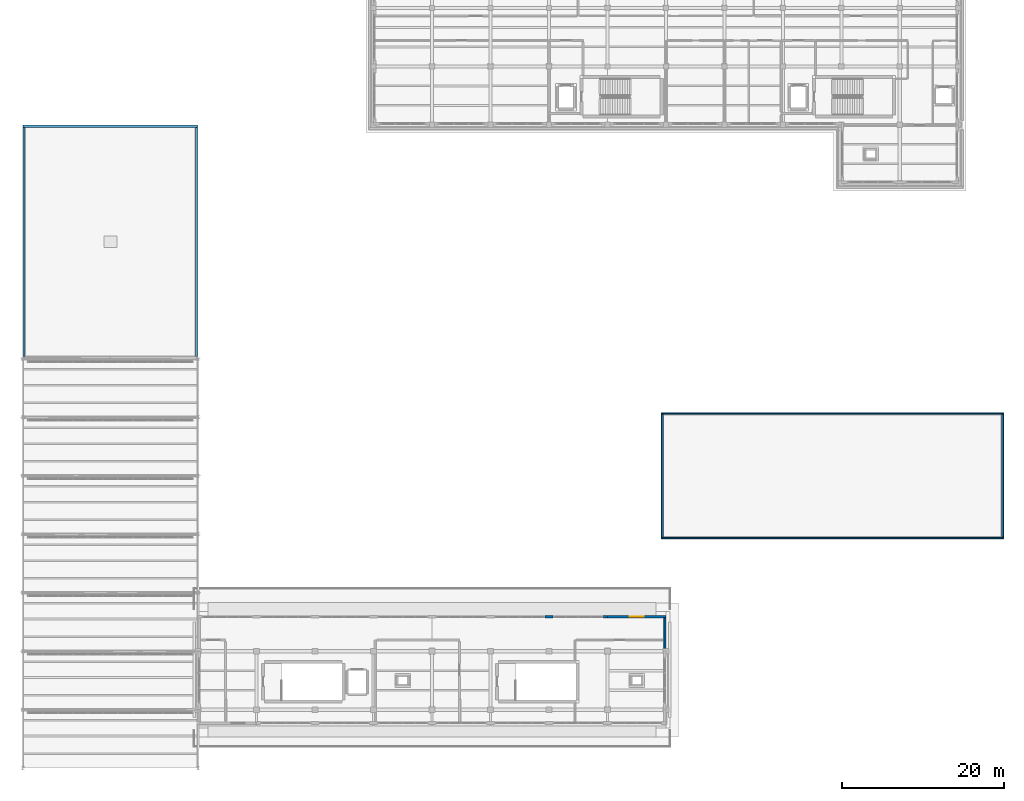
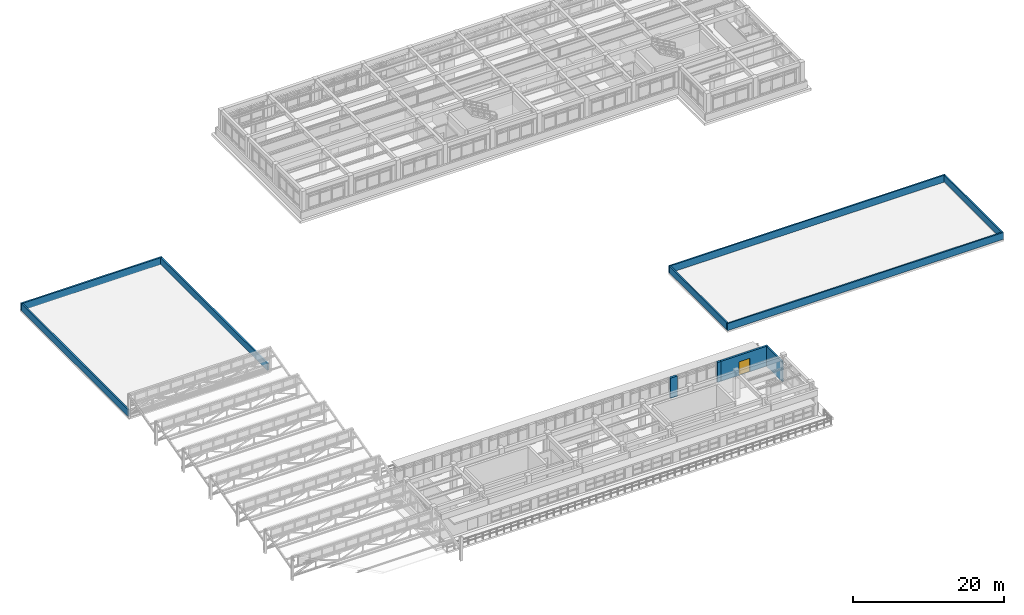
# One storey, part 46 of 55: 11 walls, 1 door, 1 opening.
"""IFC4 building model written with IfcOpenShell, lengths in metres."""

from ifc_helpers import new_model, si_unit, direction, frame, frame_2d, origin, place, context, subcontext, project, spatial, rectangle, extrude, material, layer, layer_set, type_object, element, fill, save


model = new_model("IFC4")

# Units and contexts
model_context = context("Model", 3, precision=1e-05, world=origin(), true_north=direction((0.0, 1.0)))
body_context = subcontext(model_context, "Body", "Model", "MODEL_VIEW")
ifc_project = project(units=[si_unit("LENGTHUNIT", "METRE"), si_unit("AREAUNIT", "SQUARE_METRE"), si_unit("VOLUMEUNIT", "CUBIC_METRE"), si_unit("PLANEANGLEUNIT", "RADIAN"), si_unit("MASSUNIT", "GRAM", prefix="KILO")], contexts=[model_context])

# Site, building, storey
site_placement = place(None, origin())
site = spatial("IfcSite", under=ifc_project, at=site_placement, CompositionType="ELEMENT")
building_placement = place(site_placement, origin())
building = spatial("IfcBuilding", under=site, at=building_placement, Name="Solenvale Faculty of Natural Sciences", CompositionType="ELEMENT")
storey_placement = place(building_placement, frame((0.0, 0.0, 22.5)))
storey = spatial("IfcBuildingStorey", under=building, at=storey_placement, Name="L05", CompositionType="ELEMENT", Elevation=22.5)

# Wall, opening, door
ifc_material_1 = material(Name="Architectural bronze concrete 40 MPa", Category="concrete")
ifc_layer_1 = layer(ifc_material_1, 0.300048828125)
ifc_layer_set_1 = layer_set([ifc_layer_1], Name="Architectural bronze concrete 40 MPa")
wall_type_1 = type_object("IfcWallType", Name="WL-EXT-BRZ-300", PredefinedType="STANDARD", material=ifc_layer_set_1)
wall_1_placement = place(storey_placement, frame((108.0, 33.050048828125, 0.0), z_axis=(0.0, 0.0, 1.0), x_axis=(1.0, 0.0, 0.0)))
wall_1 = element("IfcWall", 1, at=wall_1_placement, inside=storey, type_object=wall_type_1, Name="L05 Exterior Wall 2.1", PredefinedType="STANDARD", context=body_context, shape_type="SweptSolid", body=[
    extrude(rectangle(XDim=7.199951171875, YDim=0.300048828125, at=frame_2d((3.60009765625, 0.0))), origin(), (0.0, 0.0, 1.0), 3.260009765625),
])
opening_placement = place(wall_1_placement, frame((2.75, 0.0, 0.0)))
opening = element("IfcOpeningElement", 2, at=opening_placement, cuts=wall_1, Name="Opening TD-44", PredefinedType="OPENING", context=body_context, shape_type="SweptSolid", body=[
    extrude(rectangle(XDim=1.699951171875, YDim=2.199951171875, at=frame_2d((0.85009765625, 1.10009765625))), frame((0.0, 0.159912109375, 0.0), z_axis=(0.0, -1.0, 0.0), x_axis=(1.0, 0.0, 0.0)), (0.0, 0.0, 1.0), 0.320068359375),
])
ifc_material_2 = material(Name="Anodised bronze aluminium", Category="aluminium")
door_type = type_object("IfcDoorType", Name="DR-TER-1700x2200", OperationType="NOTDEFINED", PredefinedType="DOOR", material=ifc_material_2)
door_placement = place(opening_placement, origin())
door = element("IfcDoor", 3, at=door_placement, inside=storey, type_object=door_type, Name="L05 Exterior Terrace Door TD-44", OperationType="DOUBLE_DOOR_SINGLE_SWING", OverallHeight=2.199951171875, OverallWidth=1.699951171875, PredefinedType="DOOR", context=body_context, shape_type="SweptSolid", body=[
    extrude(rectangle(XDim=1.699951171875, YDim=2.199951171875, at=frame_2d((0.85009765625, 1.10009765625))), frame((0.0, 0.02490234375, 0.0), z_axis=(0.0, -1.0, 0.0), x_axis=(1.0, 0.0, 0.0)), (0.0, 0.0, 1.0), 0.050048828125),
])
fill(opening, door)

# Walls
ifc_layer_2 = layer(ifc_material_1, 0.324951171875)
ifc_layer_set_2 = layer_set([ifc_layer_2], Name="Architectural bronze concrete 40 MPa")
wall_type_2 = type_object("IfcWallType", Name="WL-EXT-BRZ-325", PredefinedType="STANDARD", material=ifc_layer_set_2)
wall_2_placement = place(storey_placement, frame((108.0, 33.03759765625, 0.0), z_axis=(0.0, 0.0, 1.0), x_axis=(-1.0, 0.0, 0.0)))
element("IfcWall", 4, at=wall_2_placement, inside=storey, type_object=wall_type_2, Name="L05 Facade Closure Pier 2.B2-L", PredefinedType="STANDARD", context=body_context, shape_type="SweptSolid", body=[
    extrude(rectangle(XDim=0.51806640625, YDim=0.324951171875, at=frame_2d((0.259033203125, 0.0))), origin(), (0.0, 0.0, 1.0), 3.260009765625),
])
wall_3_placement = place(storey_placement, frame((101.318115234375, 33.03759765625, 0.0), z_axis=(0.0, 0.0, 1.0), x_axis=(-1.0, 0.0, 0.0)))
element("IfcWall", 5, at=wall_3_placement, inside=storey, type_object=wall_type_2, Name="L05 Facade Closure Pier 2.B2-R", PredefinedType="STANDARD", context=body_context, shape_type="SweptSolid", body=[
    extrude(rectangle(XDim=1.0361328125, YDim=0.324951171875, at=frame_2d((0.51806640625, 0.0))), origin(), (0.0, 0.0, 1.0), 3.260009765625),
])
ifc_material_3 = material(Name="Precast concrete 40 MPa", Category="concrete")
ifc_layer_3 = layer(ifc_material_3, 0.2451171875)
ifc_layer_set_3 = layer_set([ifc_layer_3], Name="Precast concrete 40 MPa")
wall_type_3 = type_object("IfcWallType", Name="WL-EXT-PRC-245", PredefinedType="STANDARD", material=ifc_layer_set_3)
wall_4_placement = place(storey_placement, frame((115.077392578125, 32.89990234375, 0.0), z_axis=(0.0, 0.0, 1.0), x_axis=(0.0, -1.0, 0.0)))
element("IfcWall", 6, at=wall_4_placement, inside=storey, type_object=wall_type_3, Name="L05 Exterior Wall 1.3", PredefinedType="STANDARD", context=body_context, shape_type="SweptSolid", body=[
    extrude(rectangle(XDim=4.099853515625, YDim=0.2451171875, at=frame_2d((2.0498046875, 0.0))), origin(), (0.0, 0.0, 1.0), 3.260009765625),
])
ifc_material_4 = material(Name="Chazy limestone masonry", Category="masonry")
ifc_layer_4 = layer(ifc_material_4, 0.2548828125)
ifc_layer_set_4 = layer_set([ifc_layer_4], Name="Chazy limestone masonry")
wall_type_4 = type_object("IfcWallType", Name="WL-PAR-LIM-255", PredefinedType="PARAPET", material=ifc_layer_set_4)
wall_5_placement = place(storey_placement, frame((36.1669921875, 65.095947265625, 0.0), z_axis=(0.0, 0.0, 1.0), x_axis=(0.0, 1.0, 0.0)))
element("IfcWall", 7, at=wall_5_placement, inside=storey, type_object=wall_type_4, Name="L05 Roof Parapet 5.1", PredefinedType="PARAPET", context=body_context, shape_type="SweptSolid", body=[
    extrude(rectangle(XDim=28.208984375, YDim=0.2548828125, at=frame_2d((14.1044921875, 0.0))), origin(), (0.0, 0.0, 1.0), 1.1201171875),
])
wall_6_placement = place(storey_placement, frame((36.0400390625, 93.431884765625, 0.0), z_axis=(0.0, 0.0, 1.0), x_axis=(1.0, 0.0, 0.0)))
element("IfcWall", 8, at=wall_6_placement, inside=storey, type_object=wall_type_4, Name="L05 Roof Parapet 5.2", PredefinedType="PARAPET", context=body_context, shape_type="SweptSolid", body=[
    extrude(rectangle(XDim=21.52001953125, YDim=0.2548828125, at=frame_2d((10.760009765625, 0.0))), origin(), (0.0, 0.0, 1.0), 1.1201171875),
])
wall_7_placement = place(storey_placement, frame((57.43310546875, 93.304931640625, 0.0), z_axis=(0.0, 0.0, 1.0), x_axis=(0.0, -1.0, 0.0)))
element("IfcWall", 9, at=wall_7_placement, inside=storey, type_object=wall_type_4, Name="L05 Roof Parapet 5.3", PredefinedType="PARAPET", context=body_context, shape_type="SweptSolid", body=[
    extrude(rectangle(XDim=28.208984375, YDim=0.2548828125, at=frame_2d((14.1044921875, 0.0))), origin(), (0.0, 0.0, 1.0), 1.1201171875),
])
ifc_layer_5 = layer(ifc_material_3, 0.219970703125)
ifc_layer_set_5 = layer_set([ifc_layer_5], Name="Precast concrete 40 MPa")
wall_type_5 = type_object("IfcWallType", Name="WL-PAR-PRC-220", PredefinedType="PARAPET", material=ifc_layer_set_5)
wall_8_placement = place(storey_placement, frame((114.6201171875, 58.070068359375, 0.0), z_axis=(0.0, 0.0, 1.0), x_axis=(1.0, 0.0, 0.0)))
element("IfcWall", 10, at=wall_8_placement, inside=storey, type_object=wall_type_5, Name="L05 Roof Parapet 4.1", PredefinedType="PARAPET", context=body_context, shape_type="SweptSolid", body=[
    extrude(rectangle(XDim=42.159912109375, YDim=0.219970703125, at=frame_2d((21.080078125, 0.0))), origin(), (0.0, 0.0, 1.0), 1.1201171875),
])
wall_9_placement = place(storey_placement, frame((156.669921875, 57.9599609375, 0.0), z_axis=(0.0, 0.0, 1.0), x_axis=(0.0, -1.0, 0.0)))
element("IfcWall", 11, at=wall_9_placement, inside=storey, type_object=wall_type_5, Name="L05 Roof Parapet 4.2", PredefinedType="PARAPET", context=body_context, shape_type="SweptSolid", body=[
    extrude(rectangle(XDim=15.119873046875, YDim=0.219970703125, at=frame_2d((7.56005859375, 0.0))), origin(), (0.0, 0.0, 1.0), 1.1201171875),
])
wall_10_placement = place(storey_placement, frame((156.780029296875, 42.72998046875, 0.0), z_axis=(0.0, 0.0, 1.0), x_axis=(-1.0, 0.0, 0.0)))
element("IfcWall", 12, at=wall_10_placement, inside=storey, type_object=wall_type_5, Name="L05 Roof Parapet 4.3", PredefinedType="PARAPET", context=body_context, shape_type="SweptSolid", body=[
    extrude(rectangle(XDim=42.159912109375, YDim=0.219970703125, at=frame_2d((21.080078125, 0.0))), origin(), (0.0, 0.0, 1.0), 1.1201171875),
])
wall_11_placement = place(storey_placement, frame((114.72998046875, 42.840087890625, 0.0), z_axis=(0.0, 0.0, 1.0), x_axis=(0.0, 1.0, 0.0)))
element("IfcWall", 13, at=wall_11_placement, inside=storey, type_object=wall_type_5, Name="L05 Roof Parapet 4.4", PredefinedType="PARAPET", context=body_context, shape_type="SweptSolid", body=[
    extrude(rectangle(XDim=15.119873046875, YDim=0.219970703125, at=frame_2d((7.56005859375, 0.0))), origin(), (0.0, 0.0, 1.0), 1.1201171875),
])

save(model, "model.ifc")
